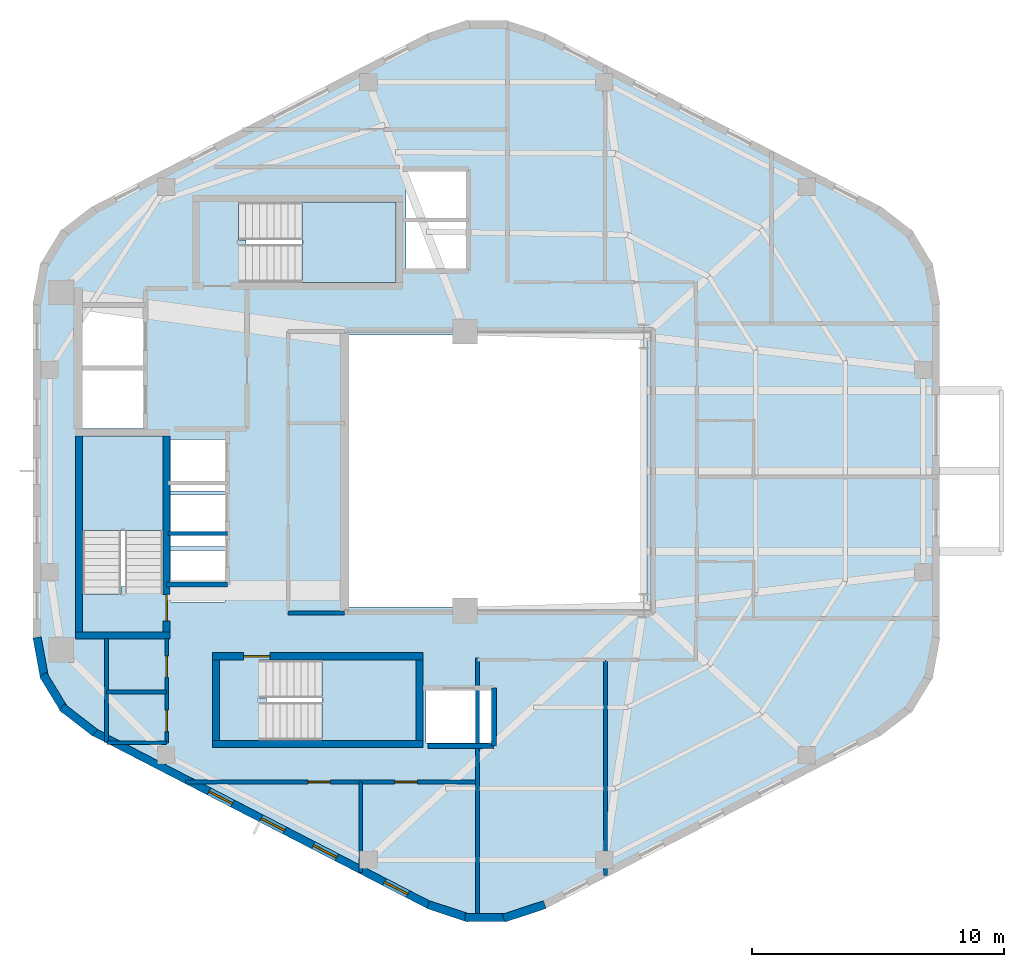
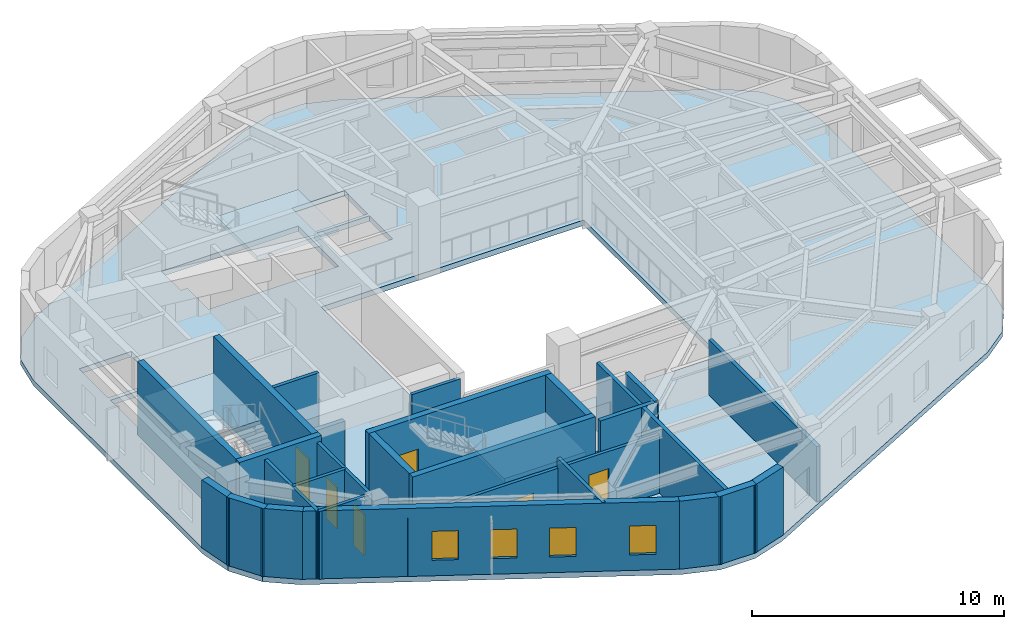
# One storey, part 2 of 6: 27 walls, 6 doors, 4 slabs, 4 windows, 10 openings, 3 elements without a shape of their own.
"""IFC4 building model written with IfcOpenShell, lengths in metres."""

from ifc_helpers import new_model, si_unit, direction, frame, frame_2d, origin, place, context, subcontext, project, spatial, polyline, rectangle, outline, extrude, material, layer, layer_set, type_object, element, fill, aggregate, save


model = new_model("IFC4")

# Units and contexts
model_context = context("Model", 3, precision=1e-05, world=origin(), true_north=direction((0.0, 1.0)))
body_context = subcontext(model_context, "Body", "Model", "MODEL_VIEW")
ifc_project = project(units=[si_unit("LENGTHUNIT", "METRE"), si_unit("AREAUNIT", "SQUARE_METRE"), si_unit("VOLUMEUNIT", "CUBIC_METRE"), si_unit("PLANEANGLEUNIT", "RADIAN"), si_unit("MASSUNIT", "GRAM", prefix="KILO"), si_unit("THERMODYNAMICTEMPERATUREUNIT", "KELVIN"), si_unit("POWERUNIT", "WATT")], contexts=[model_context])

# Site, building, storey
site_placement = place(None, origin())
site = spatial("IfcSite", under=ifc_project, at=site_placement, CompositionType="ELEMENT")
building_placement = place(site_placement, origin())
building = spatial("IfcBuilding", under=site, at=building_placement, Name="Skarre Station Tower", CompositionType="ELEMENT")
storey_placement = place(building_placement, frame((0.0, 0.0, 252.550048828125)))
storey = spatial("IfcBuildingStorey", under=building, at=storey_placement, Name="L69", CompositionType="ELEMENT", Elevation=252.550048828125)

# Stair, slab
ifc_material_1 = material(Name="Concrete C40/50", Category="concrete")
stair_type_1 = type_object("IfcStairType", Name="Reinforced Concrete Exit Stair ST-1", PredefinedType="HALF_TURN_STAIR", material=ifc_material_1)
stair_1_placement = place(storey_placement, origin())
stair_1 = element("IfcStair", 1, at=stair_1_placement, inside=storey, type_object=stair_type_1, Name="L69 Core Exit Stair ST-1", PredefinedType="HALF_TURN_STAIR")
ifc_layer_1 = layer(ifc_material_1, 0.219970703125, Name="Concrete C40/50")
ifc_layer_set_1 = layer_set([ifc_layer_1], Name="Concrete C40/50")
slab_type_1 = type_object("IfcSlabType", Name="Reinforced Concrete Stair & Ramp Landing 220", PredefinedType="LANDING", material=ifc_layer_set_1)
slab_1_placement = place(storey_placement, frame((0.0, 0.0, 1.574951171875)))
slab_1 = element("IfcSlab", 2, at=slab_1_placement, type_object=slab_type_1, Name="ST-1 landing 1", PredefinedType="LANDING", context=body_context, shape_type="SweptSolid", body=[
    extrude(outline(polyline([(20.35009765625, 21.639892578125), (20.35009765625, 25.39990234375), (17.14990234375, 25.39990234375), (17.14990234375, 21.639892578125), (20.35009765625, 21.639892578125)])), origin(), (0.0, 0.0, 1.0), 0.199951171875),
])
aggregate(stair_1, [slab_1])

stair_type_2 = type_object("IfcStairType", Name="Reinforced Concrete Exit Stair ST-2", PredefinedType="HALF_TURN_STAIR", material=ifc_material_1)
stair_2_placement = place(storey_placement, origin())
stair_2 = element("IfcStair", 3, at=stair_2_placement, inside=storey, type_object=stair_type_2, Name="L69 Core Exit Stair ST-2", PredefinedType="HALF_TURN_STAIR")
slab_2_placement = place(storey_placement, frame((0.0, 0.0, 1.574951171875)))
slab_2 = element("IfcSlab", 4, at=slab_2_placement, type_object=slab_type_1, Name="ST-2 landing 1", PredefinedType="LANDING", context=body_context, shape_type="SweptSolid", body=[
    extrude(outline(polyline([(26.669921875, 13.300048828125), (30.39990234375, 13.300048828125), (30.39990234375, 16.5), (26.669921875, 16.5), (26.669921875, 13.300048828125)])), origin(), (0.0, 0.0, 1.0), 0.199951171875),
])
aggregate(stair_2, [slab_2])

stair_type_3 = type_object("IfcStairType", Name="Reinforced Concrete Exit Stair ST-3", PredefinedType="HALF_TURN_STAIR", material=ifc_material_1)
stair_3_placement = place(storey_placement, origin())
stair_3 = element("IfcStair", 5, at=stair_3_placement, inside=storey, type_object=stair_type_3, Name="L69 Core Exit Stair ST-3", PredefinedType="HALF_TURN_STAIR")
slab_3_placement = place(storey_placement, frame((0.0, 0.0, 1.574951171875)))
slab_3 = element("IfcSlab", 6, at=slab_3_placement, type_object=slab_type_1, Name="ST-3 landing 1", PredefinedType="LANDING", context=body_context, shape_type="SweptSolid", body=[
    extrude(outline(polyline([(25.8701171875, 31.5), (29.60009765625, 31.5), (29.60009765625, 34.699951171875), (25.8701171875, 34.699951171875), (25.8701171875, 31.5)])), origin(), (0.0, 0.0, 1.0), 0.199951171875),
])
aggregate(stair_3, [slab_3])

# Slab
ifc_material_2 = material(Name="Concrete C50/60", Category="concrete")
ifc_layer_2 = layer(ifc_material_2, 0.260009765625, Name="Concrete C50/60")
ifc_layer_set_2 = layer_set([ifc_layer_2], Name="Concrete C50/60")
slab_type_2 = type_object("IfcSlabType", Name="Tower Typical Composite Floor Slab 260", PredefinedType="FLOOR", material=ifc_layer_set_2)
slab_4_placement = place(storey_placement, frame((0.0, 0.0, -0.260009765625)))
element("IfcSlab", 7, at=slab_4_placement, inside=storey, type_object=slab_type_2, Name="L69 Zone 4 Structural Floor Slab", PredefinedType="FLOOR", context=body_context, shape_type="SweptSolid", body=[
    extrude(outline(polyline([(51.212890625, 30.701904296875), (50.93310546875, 32.222900390625), (50.1279296875, 33.544921875), (48.905029296875, 34.491943359375), (35.508056640625, 41.407958984375), (33.99609375, 41.906005859375), (32.404052734375, 41.906005859375), (30.89208984375, 41.407958984375), (17.4951171875, 34.491943359375), (16.27197265625, 33.544921875), (15.467041015625, 32.222900390625), (15.18701171875, 30.701904296875), (15.18701171875, 17.298095703125), (15.467041015625, 15.777099609375), (16.27197265625, 14.455078125), (17.4951171875, 13.508056640625), (30.89208984375, 6.592041015625), (32.404052734375, 6.093994140625), (33.99609375, 6.093994140625), (35.508056640625, 6.592041015625), (48.905029296875, 13.508056640625), (50.1279296875, 14.455078125), (50.93310546875, 15.777099609375), (51.212890625, 17.298095703125), (51.212890625, 30.701904296875)]), holes=[polyline([(18.669921875, 19.419921875), (18.669921875, 19.123046875), (17.14990234375, 19.123046875), (17.14990234375, 25.39990234375), (20.35009765625, 25.39990234375), (20.35009765625, 19.419921875), (18.669921875, 19.419921875)]), polyline([(24.449951171875, 14.97998046875), (24.153076171875, 14.97998046875), (24.153076171875, 16.5), (30.39990234375, 16.5), (30.39990234375, 13.300048828125), (24.449951171875, 13.300048828125), (24.449951171875, 14.97998046875)]), polyline([(23.64990234375, 33.179931640625), (23.35302734375, 33.179931640625), (23.35302734375, 34.699951171875), (29.60009765625, 34.699951171875), (29.60009765625, 31.5), (23.64990234375, 31.5), (23.64990234375, 33.179931640625)]), polyline([(17.14990234375, 28.0), (19.550048828125, 28.0), (19.550048828125, 25.699951171875), (17.14990234375, 25.699951171875), (17.14990234375, 28.0)]), polyline([(17.14990234375, 30.5), (19.550048828125, 30.5), (19.550048828125, 28.199951171875), (17.14990234375, 28.199951171875), (17.14990234375, 30.5)]), polyline([(30.800048828125, 15.300048828125), (33.39990234375, 15.300048828125), (33.39990234375, 13.199951171875), (30.800048828125, 13.199951171875), (30.800048828125, 15.300048828125)]), polyline([(20.64990234375, 20.85009765625), (22.800048828125, 20.85009765625), (22.800048828125, 18.800048828125), (20.64990234375, 18.800048828125), (20.64990234375, 20.85009765625)]), polyline([(20.64990234375, 23.050048828125), (22.800048828125, 23.050048828125), (22.800048828125, 21.0), (20.64990234375, 21.0), (20.64990234375, 23.050048828125)]), polyline([(20.64990234375, 25.25), (22.800048828125, 25.25), (22.800048828125, 23.199951171875), (20.64990234375, 23.199951171875), (20.64990234375, 25.25)]), polyline([(30.0, 33.89990234375), (32.39990234375, 33.89990234375), (32.39990234375, 32.050048828125), (30.0, 32.050048828125), (30.0, 33.89990234375)]), polyline([(30.0, 35.89990234375), (32.39990234375, 35.89990234375), (32.39990234375, 34.050048828125), (30.0, 34.050048828125), (30.0, 35.89990234375)]), polyline([(27.60009765625, 29.39990234375), (39.60009765625, 29.39990234375), (39.60009765625, 18.60009765625), (27.60009765625, 18.60009765625), (27.60009765625, 29.39990234375)])]), origin(), (0.0, 0.0, 1.0), 0.260009765625),
])

# Walls
ifc_material_3 = material(Name="Acoustic Steel-Stud Gypsum Partition", Category="steel")
ifc_layer_3 = layer(ifc_material_3, 0.14990234375, Name="Acoustic Steel-Stud Gypsum Partition")
ifc_layer_set_3 = layer_set([ifc_layer_3], Name="Acoustic Steel-Stud Gypsum Partition")
wall_type_1 = type_object("IfcWallType", Name="Fire-Rated Corridor Acoustic Partition 150", PredefinedType="PARTITIONING", material=ifc_layer_set_3)
wall_1_placement = place(storey_placement, frame((25.320068359375, 18.360107421875, 0.0), z_axis=(0.0, 0.0, 1.0), x_axis=(1.0, 0.0, 0.0)))
element("IfcWall", 8, at=wall_1_placement, inside=storey, type_object=wall_type_1, Name="L69 Interior Partition WL-PT-L69-RC2-S", PredefinedType="PARTITIONING", context=body_context, shape_type="SweptSolid", body=[
    extrude(rectangle(XDim=2.22998046875, YDim=0.14990234375, at=frame_2d((1.114990234375, 0.0))), origin(), (0.0, 0.0, 1.0), 3.2900390625),
])
wall_2_placement = place(storey_placement, frame((18.10009765625, 17.340087890625, 0.0), z_axis=(0.0, 0.0, 1.0), x_axis=(0.0, -1.0, 0.0)))
element("IfcWall", 9, at=wall_2_placement, inside=storey, type_object=wall_type_1, Name="L69 Interior Partition WL-PT-L69-CSVC-W", PredefinedType="PARTITIONING", context=body_context, shape_type="SweptSolid", body=[
    extrude(rectangle(XDim=4.133056640625, YDim=0.14990234375, at=frame_2d((2.06640625, 0.0))), origin(), (0.0, 0.0, 1.0), 3.2900390625),
])
wall_3_placement = place(storey_placement, frame((18.113037109375, 13.199951171875, 0.0), z_axis=(0.0, 0.0, 1.0), x_axis=(1.0, 0.0, 0.0)))
element("IfcWall", 10, at=wall_3_placement, inside=storey, type_object=wall_type_1, Name="L69 Interior Partition WL-PT-L69-CSVC-S", PredefinedType="PARTITIONING", context=body_context, shape_type="SweptSolid", body=[
    extrude(rectangle(XDim=2.376953125, YDim=0.14990234375, at=frame_2d((1.1884765625, 0.0))), origin(), (0.0, 0.0, 1.0), 3.2900390625),
])
wall_4_placement = place(storey_placement, frame((18.10009765625, 15.219970703125, 0.0), z_axis=(0.0, 0.0, 1.0), x_axis=(1.0, 0.0, 0.0)))
element("IfcWall", 11, at=wall_4_placement, inside=storey, type_object=wall_type_1, Name="L69 Interior Partition WL-PT-L69-CSVC-M", PredefinedType="PARTITIONING", context=body_context, shape_type="SweptSolid", body=[
    extrude(rectangle(XDim=2.389892578125, YDim=0.14990234375, at=frame_2d((1.19482421875, 0.0))), origin(), (0.0, 0.0, 1.0), 3.2900390625),
])

# Wall, openings, doors
wall_5_placement = place(storey_placement, frame((20.489990234375, 13.199951171875, 0.0), z_axis=(0.0, 0.0, 1.0), x_axis=(0.0, 1.0, 0.0)))
wall_5 = element("IfcWall", 12, at=wall_5_placement, inside=storey, type_object=wall_type_1, Name="L69 Interior Partition WL-PT-L69-CSVC-E", PredefinedType="PARTITIONING", context=body_context, shape_type="SweptSolid", body=[
    extrude(rectangle(XDim=4.14013671875, YDim=0.14990234375, at=frame_2d((2.070068359375, 0.0))), origin(), (0.0, 0.0, 1.0), 3.2900390625),
])
opening_1_placement = place(wall_5_placement, frame((0.449951171875, 0.0, 0.0)))
opening_1 = element("IfcOpeningElement", 13, at=opening_1_placement, cuts=wall_5, Name="Opening DR-SVC86", PredefinedType="OPENING", context=body_context, shape_type="SweptSolid", body=[
    extrude(rectangle(XDim=0.860107421875, YDim=2.0, at=frame_2d((0.43017578125, 1.0))), frame((0.0, 0.0849609375, 0.0), z_axis=(0.0, -1.0, 0.0), x_axis=(1.0, 0.0, 0.0)), (0.0, 0.0, 1.0), 0.169921875),
])
opening_2_placement = place(wall_5_placement, frame((2.60009765625, 0.0, 0.0)))
opening_2 = element("IfcOpeningElement", 14, at=opening_2_placement, cuts=wall_5, Name="Opening DR-SVC86", PredefinedType="OPENING", context=body_context, shape_type="SweptSolid", body=[
    extrude(rectangle(XDim=0.860107421875, YDim=2.0, at=frame_2d((0.43017578125, 1.0))), frame((0.0, 0.0849609375, 0.0), z_axis=(0.0, -1.0, 0.0), x_axis=(1.0, 0.0, 0.0)), (0.0, 0.0, 1.0), 0.169921875),
])
ifc_material_4 = material(Name="Powder-Coated Hollow-Metal Acoustic Fire Leaf", Category="steel")
door_type_1 = type_object("IfcDoorType", Name="Compact Riser Fire Door FD60 860x2100", OperationType="SINGLE_SWING_LEFT", PredefinedType="DOOR", material=ifc_material_4)
door_1_placement = place(opening_1_placement, origin())
door_1 = element("IfcDoor", 15, at=door_1_placement, inside=storey, type_object=door_type_1, Name="L69 Vending Room Door", OperationType="SINGLE_SWING_LEFT", OverallHeight=2.0, OverallWidth=0.860107421875, PredefinedType="DOOR", context=body_context, shape_type="SweptSolid", body=[
    extrude(rectangle(XDim=0.860107421875, YDim=2.0, at=frame_2d((0.43017578125, 1.0))), frame((0.0, 0.02490234375, 0.0), z_axis=(0.0, -1.0, 0.0), x_axis=(1.0, 0.0, 0.0)), (0.0, 0.0, 1.0), 0.050048828125),
])
fill(opening_1, door_1)
door_2_placement = place(opening_2_placement, origin())
door_2 = element("IfcDoor", 16, at=door_2_placement, inside=storey, type_object=door_type_1, Name="L69 Linen Storage Door", OperationType="SINGLE_SWING_LEFT", OverallHeight=2.0, OverallWidth=0.860107421875, PredefinedType="DOOR", context=body_context, shape_type="SweptSolid", body=[
    extrude(rectangle(XDim=0.860107421875, YDim=2.0, at=frame_2d((0.43017578125, 1.0))), frame((0.0, 0.02490234375, 0.0), z_axis=(0.0, -1.0, 0.0), x_axis=(1.0, 0.0, 0.0)), (0.0, 0.0, 1.0), 0.050048828125),
])
fill(opening_2, door_2)

# Wall
wall_6_placement = place(storey_placement, frame((28.199951171875, 8.049072265625, 0.0), z_axis=(0.0, 0.0, 1.0), x_axis=(0.0, 1.0, 0.0)))
element("IfcWall", 17, at=wall_6_placement, inside=storey, type_object=wall_type_1, Name="L69 Interior Partition WL-PT-L69-SWP-M", PredefinedType="PARTITIONING", context=body_context, shape_type="SweptSolid", body=[
    extrude(rectangle(XDim=3.5908203125, YDim=0.14990234375, at=frame_2d((1.79541015625, 0.0))), origin(), (0.0, 0.0, 1.0), 3.2900390625),
])

# Wall, openings, doors
wall_7_placement = place(storey_placement, frame((21.243896484375, 11.639892578125, 0.0), z_axis=(0.0, 0.0, 1.0), x_axis=(1.0, 0.0, 0.0)))
wall_7 = element("IfcWall", 18, at=wall_7_placement, inside=storey, type_object=wall_type_1, Name="L69 Interior Partition WL-PT-L69-SWP-N", PredefinedType="PARTITIONING", context=body_context, shape_type="SweptSolid", body=[
    extrude(rectangle(XDim=11.606201171875, YDim=0.14990234375, at=frame_2d((5.80322265625, 0.0))), origin(), (0.0, 0.0, 1.0), 2.8330078125),
])
opening_3_placement = place(wall_7_placement, frame((4.85595703125, 0.0, 0.0)))
opening_3 = element("IfcOpeningElement", 19, at=opening_3_placement, cuts=wall_7, Name="Opening DR-SVC90", PredefinedType="OPENING", context=body_context, shape_type="SweptSolid", body=[
    extrude(rectangle(XDim=0.89990234375, YDim=2.0, at=frame_2d((0.449951171875, 1.0))), frame((0.0, 0.0849609375, 0.0), z_axis=(0.0, -1.0, 0.0), x_axis=(1.0, 0.0, 0.0)), (0.0, 0.0, 1.0), 0.169921875),
])
opening_4_placement = place(wall_7_placement, frame((8.305908203125, 0.0, 0.0)))
opening_4 = element("IfcOpeningElement", 20, at=opening_4_placement, cuts=wall_7, Name="Opening DR-SVC90", PredefinedType="OPENING", context=body_context, shape_type="SweptSolid", body=[
    extrude(rectangle(XDim=0.89990234375, YDim=2.0, at=frame_2d((0.449951171875, 1.0))), frame((0.0, 0.0849609375, 0.0), z_axis=(0.0, -1.0, 0.0), x_axis=(1.0, 0.0, 0.0)), (0.0, 0.0, 1.0), 0.169921875),
])
door_type_2 = type_object("IfcDoorType", Name="Service & Riser Fire Door FD60 900x2100", OperationType="SINGLE_SWING_LEFT", PredefinedType="DOOR", material=ifc_material_4)
door_3_placement = place(opening_3_placement, origin())
door_3 = element("IfcDoor", 21, at=door_3_placement, inside=storey, type_object=door_type_2, Name="L69 Floor Public Toilets Door", OperationType="SINGLE_SWING_LEFT", OverallHeight=2.0, OverallWidth=0.89990234375, PredefinedType="DOOR", context=body_context, shape_type="SweptSolid", body=[
    extrude(rectangle(XDim=0.89990234375, YDim=2.0, at=frame_2d((0.449951171875, 1.0))), frame((0.0, 0.02490234375, 0.0), z_axis=(0.0, -1.0, 0.0), x_axis=(1.0, 0.0, 0.0)), (0.0, 0.0, 1.0), 0.050048828125),
])
fill(opening_3, door_3)
door_4_placement = place(opening_4_placement, origin())
door_4 = element("IfcDoor", 22, at=door_4_placement, inside=storey, type_object=door_type_2, Name="L69 South-West Study Door", OperationType="SINGLE_SWING_LEFT", OverallHeight=2.0, OverallWidth=0.89990234375, PredefinedType="DOOR", context=body_context, shape_type="SweptSolid", body=[
    extrude(rectangle(XDim=0.89990234375, YDim=2.0, at=frame_2d((0.449951171875, 1.0))), frame((0.0, 0.02490234375, 0.0), z_axis=(0.0, -1.0, 0.0), x_axis=(1.0, 0.0, 0.0)), (0.0, 0.0, 1.0), 0.050048828125),
])
fill(opening_4, door_4)

# Walls
ifc_material_5 = material(Name="Precast concrete C45/55", Category="concrete")
ifc_layer_4 = layer(ifc_material_5, 0.330078125, Name="Precast concrete C45/55")
ifc_layer_set_4 = layer_set([ifc_layer_4], Name="Precast concrete C45/55")
wall_type_2 = type_object("IfcWallType", Name="Nordic Rounded Corner Precast Wall 330", PredefinedType="STANDARD", material=ifc_layer_set_4)
wall_8_placement = place(storey_placement, frame((17.64697265625, 13.59912109375, 0.0), z_axis=(0.0, 0.0, 1.0), x_axis=(-0.790691856293, 0.61221433207, 0.0)))
element("IfcWall", 23, at=wall_8_placement, inside=storey, type_object=wall_type_2, Name="L69 Rounded Corner Precast Wall F3-1", PredefinedType="STANDARD", context=body_context, shape_type="SweptSolid", body=[
    extrude(rectangle(XDim=1.67578125, YDim=0.330078125, at=frame_2d((0.837890625, 0.0))), origin(), (0.0, 0.0, 1.0), 3.2900390625),
])
wall_9_placement = place(storey_placement, frame((16.447021484375, 14.485107421875, 0.0), z_axis=(0.0, 0.0, 1.0), x_axis=(-0.520325409202, 0.853968072318, 0.0)))
element("IfcWall", 24, at=wall_9_placement, inside=storey, type_object=wall_type_2, Name="L69 Rounded Corner Precast Wall F3-2", PredefinedType="STANDARD", context=body_context, shape_type="SweptSolid", body=[
    extrude(rectangle(XDim=1.677978515625, YDim=0.330078125, at=frame_2d((0.8388671875, 0.0))), origin(), (0.0, 0.0, 1.0), 3.2900390625),
])
wall_10_placement = place(storey_placement, frame((15.64111328125, 15.742919921875, 0.0), z_axis=(0.0, 0.0, 1.0), x_axis=(-0.180832605401, 0.983513888475, 0.0)))
element("IfcWall", 25, at=wall_10_placement, inside=storey, type_object=wall_type_2, Name="L69 Rounded Corner Precast Wall F3-3", PredefinedType="STANDARD", context=body_context, shape_type="SweptSolid", body=[
    extrude(rectangle(XDim=1.6767578125, YDim=0.330078125, at=frame_2d((0.83837890625, 0.0))), origin(), (0.0, 0.0, 1.0), 3.2900390625),
])
wall_11_placement = place(storey_placement, frame((35.51806640625, 6.76904296875, 0.0), z_axis=(0.0, 0.0, 1.0), x_axis=(-0.949713440491, -0.313120393699, 0.0)))
element("IfcWall", 26, at=wall_11_placement, inside=storey, type_object=wall_type_2, Name="L69 Rounded Corner Precast Wall F4-1", PredefinedType="STANDARD", context=body_context, shape_type="SweptSolid", body=[
    extrude(rectangle(XDim=1.7216796875, YDim=0.330078125, at=frame_2d((0.86083984375, 0.0))), origin(), (0.0, 0.0, 1.0), 3.2900390625),
])
wall_12_placement = place(storey_placement, frame((34.06103515625, 6.259033203125, 0.0), z_axis=(0.0, 0.0, 1.0), x_axis=(-1.0, 0.0, 0.0)))
element("IfcWall", 27, at=wall_12_placement, inside=storey, type_object=wall_type_2, Name="L69 Rounded Corner Precast Wall F4-2", PredefinedType="STANDARD", context=body_context, shape_type="SweptSolid", body=[
    extrude(rectangle(XDim=1.721923828125, YDim=0.330078125, at=frame_2d((0.86083984375, 0.0))), origin(), (0.0, 0.0, 1.0), 3.2900390625),
])
wall_13_placement = place(storey_placement, frame((32.51708984375, 6.22998046875, 0.0), z_axis=(0.0, 0.0, 1.0), x_axis=(-0.949713440491, 0.313120393699, 0.0)))
element("IfcWall", 28, at=wall_13_placement, inside=storey, type_object=wall_type_2, Name="L69 Rounded Corner Precast Wall F4-3", PredefinedType="STANDARD", context=body_context, shape_type="SweptSolid", body=[
    extrude(rectangle(XDim=1.7216796875, YDim=0.330078125, at=frame_2d((0.86083984375, 0.0))), origin(), (0.0, 0.0, 1.0), 3.2900390625),
])

# Wall, openings, windows
ifc_layer_5 = layer(ifc_material_5, 0.31005859375, Name="Precast concrete C45/55")
ifc_layer_set_5 = layer_set([ifc_layer_5], Name="Precast concrete C45/55")
wall_type_3 = type_object("IfcWallType", Name="Nordic Upper-Zone Precast Facet Wall 310", PredefinedType="STANDARD", material=ifc_layer_set_5)
wall_14_placement = place(storey_placement, frame((30.962890625, 6.72998046875, 0.0), z_axis=(0.0, 0.0, 1.0), x_axis=(-0.888581481622, 0.458718814218, 0.0)))
wall_14 = element("IfcWall", 29, at=wall_14_placement, inside=storey, type_object=wall_type_3, Name="L69 Facet 3 Nordic Precast Masonry Wall", PredefinedType="STANDARD", context=body_context, shape_type="SweptSolid", body=[
    extrude(rectangle(XDim=15.076904296875, YDim=0.31005859375, at=frame_2d((7.53857421875, 0.0))), origin(), (0.0, 0.0, 1.0), 3.2900390625),
])
opening_5_placement = place(wall_14_placement, frame((0.998046875, 0.0, 0.75)))
opening_5 = element("IfcOpeningElement", 30, at=opening_5_placement, cuts=wall_14, Name="Opening WN-SLT", PredefinedType="OPENING", context=body_context, shape_type="SweptSolid", body=[
    extrude(rectangle(XDim=1.050048828125, YDim=1.39990234375, at=frame_2d((0.52490234375, 0.699951171875))), frame((0.0, 0.1650390625, 0.0), z_axis=(0.0, -1.0, 0.0), x_axis=(1.0, 0.0, 0.0)), (0.0, 0.0, 1.0), 0.330078125),
])
opening_6_placement = place(wall_14_placement, frame((4.176025390625, 0.0, 0.75)))
opening_6 = element("IfcOpeningElement", 31, at=opening_6_placement, cuts=wall_14, Name="Opening WN-SLT", PredefinedType="OPENING", context=body_context, shape_type="SweptSolid", body=[
    extrude(rectangle(XDim=1.050048828125, YDim=1.39990234375, at=frame_2d((0.52490234375, 0.699951171875))), frame((0.0, 0.1650390625, 0.0), z_axis=(0.0, -1.0, 0.0), x_axis=(1.0, 0.0, 0.0)), (0.0, 0.0, 1.0), 0.330078125),
])
opening_7_placement = place(wall_14_placement, frame((6.509033203125, 0.0, 0.75)))
opening_7 = element("IfcOpeningElement", 32, at=opening_7_placement, cuts=wall_14, Name="Opening WN-SLT", PredefinedType="OPENING", context=body_context, shape_type="SweptSolid", body=[
    extrude(rectangle(XDim=1.050048828125, YDim=1.39990234375, at=frame_2d((0.52490234375, 0.699951171875))), frame((0.0, 0.1650390625, 0.0), z_axis=(0.0, -1.0, 0.0), x_axis=(1.0, 0.0, 0.0)), (0.0, 0.0, 1.0), 0.330078125),
])
opening_8_placement = place(wall_14_placement, frame((8.842041015625, 0.0, 0.75)))
opening_8 = element("IfcOpeningElement", 33, at=opening_8_placement, cuts=wall_14, Name="Opening WN-SLT", PredefinedType="OPENING", context=body_context, shape_type="SweptSolid", body=[
    extrude(rectangle(XDim=1.050048828125, YDim=1.39990234375, at=frame_2d((0.52490234375, 0.699951171875))), frame((0.0, 0.1650390625, 0.0), z_axis=(0.0, -1.0, 0.0), x_axis=(1.0, 0.0, 0.0)), (0.0, 0.0, 1.0), 0.330078125),
])
ifc_material_6 = material(Name="Low-Iron Triple Glazing with Bronze Anodized Frame", Category="glass")
window_type = type_object("IfcWindowType", Name="Nordic Corner Slot Window 1050x1400", PartitioningType="SINGLE_PANEL", PredefinedType="WINDOW", material=ifc_material_6)
window_1_placement = place(opening_5_placement, origin())
window_1 = element("IfcWindow", 34, at=window_1_placement, inside=storey, type_object=window_type, Name="L69 Facade Window WL-FAC-L69-F3-1", OverallHeight=1.39990234375, OverallWidth=1.050048828125, PartitioningType="SINGLE_PANEL", PredefinedType="WINDOW", context=body_context, shape_type="SweptSolid", body=[
    extrude(rectangle(XDim=1.050048828125, YDim=1.39990234375, at=frame_2d((0.52490234375, 0.699951171875))), frame((0.0, 0.030029296875, 0.0), z_axis=(0.0, -1.0, 0.0), x_axis=(1.0, 0.0, 0.0)), (0.0, 0.0, 1.0), 0.06005859375),
])
fill(opening_5, window_1)
window_2_placement = place(opening_6_placement, origin())
window_2 = element("IfcWindow", 35, at=window_2_placement, inside=storey, type_object=window_type, Name="L69 Facade Window WL-FAC-L69-F3-2", OverallHeight=1.39990234375, OverallWidth=1.050048828125, PartitioningType="SINGLE_PANEL", PredefinedType="WINDOW", context=body_context, shape_type="SweptSolid", body=[
    extrude(rectangle(XDim=1.050048828125, YDim=1.39990234375, at=frame_2d((0.52490234375, 0.699951171875))), frame((0.0, 0.030029296875, 0.0), z_axis=(0.0, -1.0, 0.0), x_axis=(1.0, 0.0, 0.0)), (0.0, 0.0, 1.0), 0.06005859375),
])
fill(opening_6, window_2)
window_3_placement = place(opening_7_placement, origin())
window_3 = element("IfcWindow", 36, at=window_3_placement, inside=storey, type_object=window_type, Name="L69 Facade Window WL-FAC-L69-F3-3", OverallHeight=1.39990234375, OverallWidth=1.050048828125, PartitioningType="SINGLE_PANEL", PredefinedType="WINDOW", context=body_context, shape_type="SweptSolid", body=[
    extrude(rectangle(XDim=1.050048828125, YDim=1.39990234375, at=frame_2d((0.52490234375, 0.699951171875))), frame((0.0, 0.030029296875, 0.0), z_axis=(0.0, -1.0, 0.0), x_axis=(1.0, 0.0, 0.0)), (0.0, 0.0, 1.0), 0.06005859375),
])
fill(opening_7, window_3)
window_4_placement = place(opening_8_placement, origin())
window_4 = element("IfcWindow", 37, at=window_4_placement, inside=storey, type_object=window_type, Name="L69 Facade Window WL-FAC-L69-F3-4", OverallHeight=1.39990234375, OverallWidth=1.050048828125, PartitioningType="SINGLE_PANEL", PredefinedType="WINDOW", context=body_context, shape_type="SweptSolid", body=[
    extrude(rectangle(XDim=1.050048828125, YDim=1.39990234375, at=frame_2d((0.52490234375, 0.699951171875))), frame((0.0, 0.030029296875, 0.0), z_axis=(0.0, -1.0, 0.0), x_axis=(1.0, 0.0, 0.0)), (0.0, 0.0, 1.0), 0.06005859375),
])
fill(opening_8, window_4)

# Walls
ifc_layer_6 = layer(ifc_material_2, 0.280029296875, Name="Concrete C50/60")
ifc_layer_set_6 = layer_set([ifc_layer_6], Name="Concrete C50/60")
wall_type_4 = type_object("IfcWallType", Name="RC Core Shear Wall 280", PredefinedType="SHEAR", material=ifc_layer_set_6)
wall_15_placement = place(storey_placement, frame((16.8701171875, 17.4599609375, 0.0), z_axis=(0.0, 0.0, 1.0), x_axis=(1.0, 0.0, 0.0)))
element("IfcWall", 38, at=wall_15_placement, inside=storey, type_object=wall_type_4, Name="L69 Stair ST-1 South Shear Wall", PredefinedType="SHEAR", context=body_context, shape_type="SweptSolid", body=[
    extrude(rectangle(XDim=3.759765625, YDim=0.280029296875, at=frame_2d((1.8798828125, 0.0))), origin(), (0.0, 0.0, 1.0), 3.550048828125),
])
wall_16_placement = place(storey_placement, frame((17.010009765625, 25.39990234375, 0.0), z_axis=(0.0, 0.0, 1.0), x_axis=(0.0, -1.0, 0.0)))
element("IfcWall", 39, at=wall_16_placement, inside=storey, type_object=wall_type_4, Name="L69 Stair ST-1 West Shear Wall", PredefinedType="SHEAR", context=body_context, shape_type="SweptSolid", body=[
    extrude(rectangle(XDim=7.7998046875, YDim=0.280029296875, at=frame_2d((3.89990234375, 0.0))), origin(), (0.0, 0.0, 1.0), 3.550048828125),
])

# Wall, opening, door
wall_17_placement = place(storey_placement, frame((20.489990234375, 17.60009765625, 0.0), z_axis=(0.0, 0.0, 1.0), x_axis=(0.0, 1.0, 0.0)))
wall_17 = element("IfcWall", 40, at=wall_17_placement, inside=storey, type_object=wall_type_4, Name="L69 Stair ST-1 East Shear Wall", PredefinedType="SHEAR", context=body_context, shape_type="SweptSolid", body=[
    extrude(rectangle(XDim=7.7998046875, YDim=0.280029296875, at=frame_2d((3.89990234375, 0.0))), origin(), (0.0, 0.0, 1.0), 3.550048828125),
])
opening_9_placement = place(wall_17_placement, frame((0.43994140625, 0.0, 0.0)))
opening_9 = element("IfcOpeningElement", 41, at=opening_9_placement, cuts=wall_17, Name="Opening DR-FD90", PredefinedType="OPENING", context=body_context, shape_type="SweptSolid", body=[
    extrude(rectangle(XDim=1.050048828125, YDim=2.0, at=frame_2d((0.52490234375, 1.0))), frame((0.0, 0.14990234375, 0.0), z_axis=(0.0, -1.0, 0.0), x_axis=(1.0, 0.0, 0.0)), (0.0, 0.0, 1.0), 0.300048828125),
])
ifc_material_7 = material(Name="Fire-Rated Insulated Steel Frame & Timber Core Leaf", Category="steel")
door_type_3 = type_object("IfcDoorType", Name="Stair & FSAE Lobby Fire Door FD90 1050x2150", OperationType="SINGLE_SWING_RIGHT", PredefinedType="DOOR", material=ifc_material_7)
door_5_placement = place(opening_9_placement, origin())
door_5 = element("IfcDoor", 42, at=door_5_placement, inside=storey, type_object=door_type_3, Name="L69 Stair ST-1 Exit Door", OperationType="SINGLE_SWING_RIGHT", OverallHeight=2.0, OverallWidth=1.050048828125, PredefinedType="DOOR", context=body_context, shape_type="SweptSolid", body=[
    extrude(rectangle(XDim=1.050048828125, YDim=2.0, at=frame_2d((0.52490234375, 1.0))), frame((0.0, 0.02490234375, 0.0), z_axis=(0.0, -1.0, 0.0), x_axis=(1.0, 0.0, 0.0)), (0.0, 0.0, 1.0), 0.050048828125),
])
fill(opening_9, door_5)

# Wall
wall_18_placement = place(storey_placement, frame((22.320068359375, 13.159912109375, 0.0), z_axis=(0.0, 0.0, 1.0), x_axis=(1.0, 0.0, 0.0)))
element("IfcWall", 43, at=wall_18_placement, inside=storey, type_object=wall_type_4, Name="L69 Stair ST-2 South Shear Wall", PredefinedType="SHEAR", context=body_context, shape_type="SweptSolid", body=[
    extrude(rectangle(XDim=8.35986328125, YDim=0.280029296875, at=frame_2d((4.179931640625, 0.0))), origin(), (0.0, 0.0, 1.0), 3.550048828125),
])

# Wall, opening, door
wall_19_placement = place(storey_placement, frame((30.679931640625, 16.639892578125, 0.0), z_axis=(0.0, 0.0, 1.0), x_axis=(-1.0, 0.0, 0.0)))
wall_19 = element("IfcWall", 44, at=wall_19_placement, inside=storey, type_object=wall_type_4, Name="L69 Stair ST-2 North Shear Wall", PredefinedType="SHEAR", context=body_context, shape_type="SweptSolid", body=[
    extrude(rectangle(XDim=8.35986328125, YDim=0.280029296875, at=frame_2d((4.179931640625, 0.0))), origin(), (0.0, 0.0, 1.0), 3.550048828125),
])
opening_10_placement = place(wall_19_placement, frame((6.080078125, 0.0, 0.0)))
opening_10 = element("IfcOpeningElement", 45, at=opening_10_placement, cuts=wall_19, Name="Opening DR-FD90", PredefinedType="OPENING", context=body_context, shape_type="SweptSolid", body=[
    extrude(rectangle(XDim=1.050048828125, YDim=2.0, at=frame_2d((0.52490234375, 1.0))), frame((0.0, 0.14990234375, 0.0), z_axis=(0.0, -1.0, 0.0), x_axis=(1.0, 0.0, 0.0)), (0.0, 0.0, 1.0), 0.300048828125),
])
door_6_placement = place(opening_10_placement, origin())
door_6 = element("IfcDoor", 46, at=door_6_placement, inside=storey, type_object=door_type_3, Name="L69 Stair ST-2 Exit Door", OperationType="SINGLE_SWING_RIGHT", OverallHeight=2.0, OverallWidth=1.050048828125, PredefinedType="DOOR", context=body_context, shape_type="SweptSolid", body=[
    extrude(rectangle(XDim=1.050048828125, YDim=2.0, at=frame_2d((0.52490234375, 1.0))), frame((0.0, 0.02490234375, 0.0), z_axis=(0.0, -1.0, 0.0), x_axis=(1.0, 0.0, 0.0)), (0.0, 0.0, 1.0), 0.050048828125),
])
fill(opening_10, door_6)

# Walls
for number, where, z_axis, x_axis, name in (
    (47, (22.4599609375, 16.5, 0.0), (0.0, 0.0, 1.0), (0.0, -1.0, 0.0), "L69 Stair ST-2 West Shear Wall"),
    (48, (30.5400390625, 13.300048828125, 0.0), (0.0, 0.0, 1.0), (0.0, 1.0, 0.0), "L69 Stair ST-2 East Shear Wall"),
):
    element("IfcWall", number, at=place(storey_placement, frame(where, z_axis=z_axis, x_axis=x_axis)), inside=storey, type_object=wall_type_4, Name=name, PredefinedType="SHEAR", context=body_context, shape_type="SweptSolid", body=[
        extrude(rectangle(XDim=3.199951171875, YDim=0.280029296875, at=frame_2d((1.60009765625, 0.0))), origin(), (0.0, 0.0, 1.0), 3.550048828125),
    ])
ifc_material_8 = material(Name="Gypsum Concrete Shaft Assembly C30/37", Category="concrete")
ifc_layer_7 = layer(ifc_material_8, 0.199951171875, Name="Gypsum Concrete Shaft Assembly C30/37")
ifc_layer_set_7 = layer_set([ifc_layer_7], Name="Gypsum Concrete Shaft Assembly C30/37")
wall_type_5 = type_object("IfcWallType", Name="Shaft & Core Fire Partition 200", PredefinedType="PARTITIONING", material=ifc_layer_set_7)
wall_20_placement = place(storey_placement, frame((33.5, 13.080078125, 0.0), z_axis=(0.0, 0.0, 1.0), x_axis=(0.0, 1.0, 0.0)))
element("IfcWall", 49, at=wall_20_placement, inside=storey, type_object=wall_type_5, Name="L69 Interior Partition WL-PT-L69-SV1-E", PredefinedType="PARTITIONING", context=body_context, shape_type="SweptSolid", body=[
    extrude(rectangle(XDim=2.2998046875, YDim=0.199951171875, at=frame_2d((1.14990234375, 0.0))), origin(), (0.0, 0.0, 1.0), 3.2900390625),
])
wall_21_placement = place(storey_placement, frame((30.87890625, 13.080078125, 0.0), z_axis=(0.0, 0.0, 1.0), x_axis=(1.0, 0.0, 0.0)))
element("IfcWall", 50, at=wall_21_placement, inside=storey, type_object=wall_type_5, Name="L69 Interior Partition WL-PT-L69-SV1-S", PredefinedType="PARTITIONING", context=body_context, shape_type="SweptSolid", body=[
    extrude(rectangle(XDim=2.62109375, YDim=0.199951171875, at=frame_2d((1.310546875, 0.0))), origin(), (0.0, 0.0, 1.0), 3.2900390625),
])
wall_22_placement = place(storey_placement, frame((20.489990234375, 19.5, 0.0), z_axis=(0.0, 0.0, 1.0), x_axis=(1.0, 0.0, 0.0)))
element("IfcWall", 51, at=wall_22_placement, inside=storey, type_object=wall_type_5, Name="L69 Interior Partition WL-PT-L69-B3-S", PredefinedType="PARTITIONING", context=body_context, shape_type="SweptSolid", body=[
    extrude(rectangle(XDim=2.409912109375, YDim=0.199951171875, at=frame_2d((1.205078125, 0.0))), origin(), (0.0, 0.0, 1.0), 2.18994140625),
])
wall_23_placement = place(storey_placement, frame((20.550048828125, 21.52001953125, 0.0), z_axis=(0.0, 0.0, 1.0), x_axis=(1.0, 0.0, 0.0)))
element("IfcWall", 52, at=wall_23_placement, inside=storey, type_object=wall_type_5, Name="L69 Interior Partition WL-PT-L69-B3-D1", PredefinedType="PARTITIONING", context=body_context, shape_type="SweptSolid", body=[
    extrude(rectangle(XDim=2.349853515625, YDim=0.159912109375, at=frame_2d((1.1748046875, 0.0))), origin(), (0.0, 0.0, 1.0), 3.2900390625),
])
ifc_layer_8 = layer(ifc_material_3, 0.1650390625, Name="Acoustic Steel-Stud Gypsum Partition")
ifc_layer_set_8 = layer_set([ifc_layer_8], Name="Acoustic Steel-Stud Gypsum Partition")
wall_type_6 = type_object("IfcWallType", Name="Suite Demising Acoustic Partition 165", PredefinedType="PARTITIONING", material=ifc_layer_set_8)
wall_24_placement = place(storey_placement, frame((32.85009765625, 6.154052734375, 0.0), z_axis=(0.0, 0.0, 1.0), x_axis=(0.0, 1.0, 0.0)))
element("IfcWall", 53, at=wall_24_placement, inside=storey, type_object=wall_type_6, Name="L69 Interior Partition WL-PT-L69-SWP-E", PredefinedType="PARTITIONING", context=body_context, shape_type="SweptSolid", body=[
    extrude(rectangle(XDim=10.416015625, YDim=0.1650390625, at=frame_2d((5.2080078125, 0.0))), origin(), (0.0, 0.0, 1.0), 3.2900390625),
])
wall_25_placement = place(storey_placement, frame((37.928955078125, 7.9208984375, 0.0), z_axis=(0.0, 0.0, 1.0), x_axis=(0.0, 1.0, 0.0)))
element("IfcWall", 54, at=wall_25_placement, inside=storey, type_object=wall_type_6, Name="L69 Interior Partition WL-PT-L69-SW-P1", PredefinedType="PARTITIONING", context=body_context, shape_type="SweptSolid", body=[
    extrude(rectangle(XDim=8.549072265625, YDim=0.1650390625, at=frame_2d((4.2744140625, 0.0))), origin(), (0.0, 0.0, 1.0), 2.678955078125),
])

save(model, "model.ifc")
